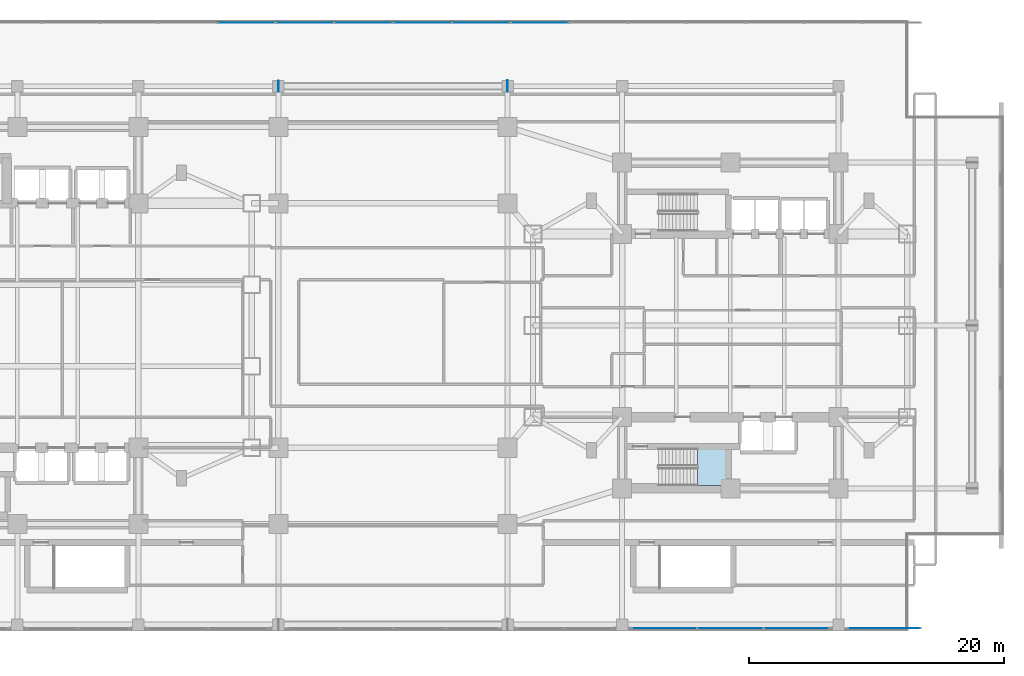
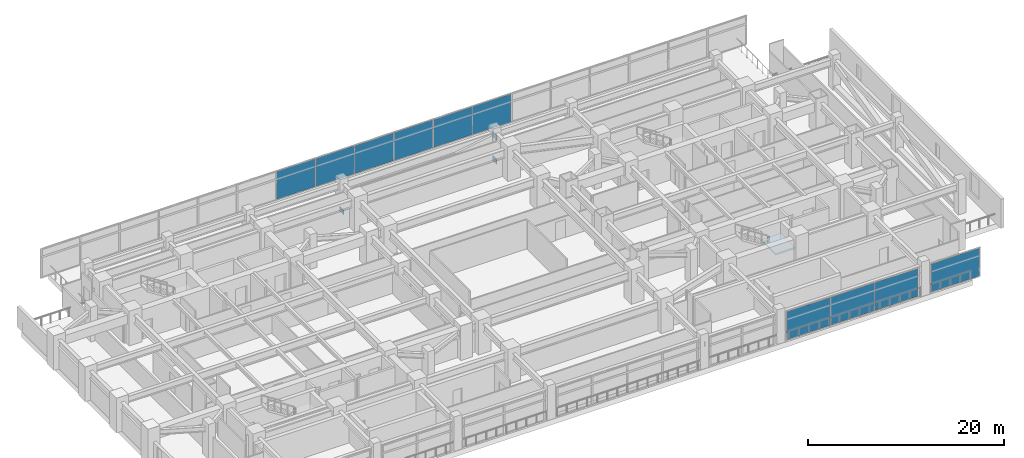
# One storey, part 12 of 27: 13 plates, 1 slab, 4 elements without a shape of their own.
"""IFC4 building model written with IfcOpenShell, lengths in metres."""

from ifc_helpers import new_model, si_unit, direction, frame, origin, origin_2d, place, context, subcontext, project, spatial, polyline, rectangle, outline, extrude, material, layer, layer_set, type_object, element, aggregate, save


model = new_model("IFC4")

# Units and contexts
model_context = context("Model", 3, precision=1e-05, world=origin(), true_north=direction((0.0, 1.0)))
body_context = subcontext(model_context, "Body", "Model", "MODEL_VIEW")
ifc_project = project(units=[si_unit("LENGTHUNIT", "METRE"), si_unit("AREAUNIT", "SQUARE_METRE"), si_unit("VOLUMEUNIT", "CUBIC_METRE"), si_unit("PLANEANGLEUNIT", "RADIAN"), si_unit("MASSUNIT", "GRAM", prefix="KILO")], contexts=[model_context])

# Site, building, storey
site_placement = place(None, origin())
site = spatial("IfcSite", under=ifc_project, at=site_placement, CompositionType="ELEMENT")
building_placement = place(site_placement, origin())
building = spatial("IfcBuilding", under=site, at=building_placement, Name="Mirazonda Arch Towers", CompositionType="ELEMENT")
storey_placement = place(building_placement, frame((0.0, 0.0, 18.10009765625)))
storey = spatial("IfcBuildingStorey", under=building, at=storey_placement, Name="L04", CompositionType="ELEMENT", Elevation=18.10009765625)

# Curtain wall, plate
ifc_material_1 = material(Name="Anodised Aluminium and Low-E Glass", Category="aluminium")
curtain_wall_type = type_object("IfcCurtainWallType", Name="CW-POD-STORE", PredefinedType="NOTDEFINED", material=ifc_material_1)
curtain_wall_1_placement = place(storey_placement, origin())
curtain_wall_1 = element("IfcCurtainWall", 1, at=curtain_wall_1_placement, inside=storey, type_object=curtain_wall_type, Name="L04 Curtain Wall CW-L04-S1-S1", PredefinedType="NOTDEFINED")
ifc_material_2 = material(Name="Insulated Low-E Solar Glass", Category="glass")
ifc_layer_1 = layer(ifc_material_2, 0.028076171875, Name="PAN-CW-POD-STORE")
ifc_layer_set_1 = layer_set([ifc_layer_1], Name="Insulated Low-E Solar Glass")
plate_type_1 = type_object("IfcPlateType", Name="PAN-CW-POD-STORE", PredefinedType="CURTAIN_PANEL", material=ifc_layer_set_1)
plate_1_placement = place(storey_placement, frame((88.594970703125, 4.219970703125, 0.080078125), z_axis=(0.0, 0.0, 1.0), x_axis=(-1.0, 0.0, 0.0)))
plate_1 = element("IfcPlate", 2, at=plate_1_placement, type_object=plate_type_1, Name="CW-102 panel 1.1", PredefinedType="CURTAIN_PANEL", context=body_context, shape_type="SweptSolid", body=[
    extrude(rectangle(XDim=5.64990234375, YDim=0.028076171875, at=origin_2d()), origin(), (0.0, 0.0, 1.0), 3.469970703125),
])
aggregate(curtain_wall_1, [plate_1])

# Curtain wall, plates
curtain_wall_2_placement = place(storey_placement, origin())
curtain_wall_2 = element("IfcCurtainWall", 3, at=curtain_wall_2_placement, inside=storey, type_object=curtain_wall_type, Name="L04 Curtain Wall CW-L04-S1-S2", PredefinedType="NOTDEFINED")
plate_2_placement = place(storey_placement, frame((81.686767578125, 4.219970703125, 0.080078125), z_axis=(0.0, 0.0, 1.0), x_axis=(-1.0, 0.0, 0.0)))
plate_2 = element("IfcPlate", 4, at=plate_2_placement, type_object=plate_type_1, Name="CW-102 panel 1.1", PredefinedType="CURTAIN_PANEL", context=body_context, shape_type="SweptSolid", body=[
    extrude(rectangle(XDim=5.086669921875, YDim=0.028076171875, at=origin_2d()), origin(), (0.0, 0.0, 1.0), 3.469970703125),
])
plate_3_placement = place(storey_placement, frame((76.5, 4.219970703125, 0.080078125), z_axis=(0.0, 0.0, 1.0), x_axis=(-1.0, 0.0, 0.0)))
plate_3 = element("IfcPlate", 5, at=plate_3_placement, type_object=plate_type_1, Name="CW-102 panel 2.1", PredefinedType="CURTAIN_PANEL", context=body_context, shape_type="SweptSolid", body=[
    extrude(rectangle(XDim=5.126708984375, YDim=0.028076171875, at=origin_2d()), origin(), (0.0, 0.0, 1.0), 3.469970703125),
])
plate_4_placement = place(storey_placement, frame((71.313232421875, 4.219970703125, 0.080078125), z_axis=(0.0, 0.0, 1.0), x_axis=(-1.0, 0.0, 0.0)))
plate_4 = element("IfcPlate", 6, at=plate_4_placement, type_object=plate_type_1, Name="CW-102 panel 3.1", PredefinedType="CURTAIN_PANEL", context=body_context, shape_type="SweptSolid", body=[
    extrude(rectangle(XDim=5.086669921875, YDim=0.028076171875, at=origin_2d()), origin(), (0.0, 0.0, 1.0), 3.469970703125),
])
aggregate(curtain_wall_2, [plate_2, plate_3, plate_4])

curtain_wall_3_placement = place(storey_placement, origin())
curtain_wall_3 = element("IfcCurtainWall", 7, at=curtain_wall_3_placement, inside=storey, type_object=curtain_wall_type, Name="L04 Curtain Wall CW-L04-N1", PredefinedType="NOTDEFINED")
plate_5_placement = place(storey_placement, frame((38.47216796875, 51.780029296875, 0.080078125), z_axis=(0.0, 0.0, 1.0), x_axis=(1.0, 0.0, 0.0)))
plate_5 = element("IfcPlate", 8, at=plate_5_placement, type_object=plate_type_1, Name="CW-102 panel 7.1", PredefinedType="CURTAIN_PANEL", context=body_context, shape_type="SweptSolid", body=[
    extrude(rectangle(XDim=4.531005859375, YDim=0.028076171875, at=origin_2d()), origin(), (0.0, 0.0, 1.0), 3.469970703125),
])
plate_6_placement = place(storey_placement, frame((43.083251953125, 51.780029296875, 0.080078125), z_axis=(0.0, 0.0, 1.0), x_axis=(1.0, 0.0, 0.0)))
plate_6 = element("IfcPlate", 9, at=plate_6_placement, type_object=plate_type_1, Name="CW-102 panel 8.1", PredefinedType="CURTAIN_PANEL", context=body_context, shape_type="SweptSolid", body=[
    extrude(rectangle(XDim=4.531005859375, YDim=0.028076171875, at=origin_2d()), origin(), (0.0, 0.0, 1.0), 3.469970703125),
])
plate_7_placement = place(storey_placement, frame((47.6943359375, 51.780029296875, 0.080078125), z_axis=(0.0, 0.0, 1.0), x_axis=(1.0, 0.0, 0.0)))
plate_7 = element("IfcPlate", 10, at=plate_7_placement, type_object=plate_type_1, Name="CW-102 panel 9.1", PredefinedType="CURTAIN_PANEL", context=body_context, shape_type="SweptSolid", body=[
    extrude(rectangle(XDim=4.531005859375, YDim=0.028076171875, at=origin_2d()), origin(), (0.0, 0.0, 1.0), 3.469970703125),
])
plate_8_placement = place(storey_placement, frame((52.3056640625, 51.780029296875, 0.080078125), z_axis=(0.0, 0.0, 1.0), x_axis=(1.0, 0.0, 0.0)))
plate_8 = element("IfcPlate", 11, at=plate_8_placement, type_object=plate_type_1, Name="CW-102 panel 10.1", PredefinedType="CURTAIN_PANEL", context=body_context, shape_type="SweptSolid", body=[
    extrude(rectangle(XDim=4.531005859375, YDim=0.028076171875, at=origin_2d()), origin(), (0.0, 0.0, 1.0), 3.469970703125),
])
plate_9_placement = place(storey_placement, frame((56.916748046875, 51.780029296875, 0.080078125), z_axis=(0.0, 0.0, 1.0), x_axis=(1.0, 0.0, 0.0)))
plate_9 = element("IfcPlate", 12, at=plate_9_placement, type_object=plate_type_1, Name="CW-102 panel 11.1", PredefinedType="CURTAIN_PANEL", context=body_context, shape_type="SweptSolid", body=[
    extrude(rectangle(XDim=4.531005859375, YDim=0.028076171875, at=origin_2d()), origin(), (0.0, 0.0, 1.0), 3.469970703125),
])
plate_10_placement = place(storey_placement, frame((61.52783203125, 51.780029296875, 0.080078125), z_axis=(0.0, 0.0, 1.0), x_axis=(1.0, 0.0, 0.0)))
plate_10 = element("IfcPlate", 13, at=plate_10_placement, type_object=plate_type_1, Name="CW-102 panel 12.1", PredefinedType="CURTAIN_PANEL", context=body_context, shape_type="SweptSolid", body=[
    extrude(rectangle(XDim=4.531005859375, YDim=0.028076171875, at=origin_2d()), origin(), (0.0, 0.0, 1.0), 3.469970703125),
])
aggregate(curtain_wall_3, [plate_5, plate_6, plate_7, plate_8, plate_9, plate_10])

# Plates
ifc_material_3 = material(Name="Steel ASTM A572 Grade 50", Category="steel")
ifc_layer_2 = layer(ifc_material_3, 0.035888671875, Name="PLATE-CAP-850x600x36")
ifc_layer_set_2 = layer_set([ifc_layer_2], Name="Steel ASTM A572 Grade 50")
plate_type_2 = type_object("IfcPlateType", Name="PLATE-CAP-850x600x36", PredefinedType="USERDEFINED", material=ifc_layer_set_2)
for number, where, z_axis, x_axis, name in (
    (14, (40.991943359375, 46.800048828125, -0.250244140625), (0.0, 0.0, 1.0), (-1.0, 0.0, 0.0), "Steel end closure plate NP-L04-BC-02A"),
    (15, (59.008056640625, 46.800048828125, -0.250244140625), (0.0, 0.0, 1.0), (1.0, 0.0, 0.0), "Steel end closure plate NP-L04-BC-02B"),
):
    element("IfcPlate", number, at=place(storey_placement, frame(where, z_axis=z_axis, x_axis=x_axis)), inside=storey, type_object=plate_type_2, Name=name, ObjectType="CAP PLATE", PredefinedType="USERDEFINED", context=body_context, shape_type="SweptSolid", body=[
        extrude(rectangle(XDim=0.0400390625, YDim=0.85009765625, at=origin_2d()), origin(), (0.0, 0.0, 1.0), 0.60009765625),
    ])
ifc_layer_3 = layer(ifc_material_3, 0.031982421875, Name="PLATE-GUSSET-900x650x32")
ifc_layer_set_3 = layer_set([ifc_layer_3], Name="Steel ASTM A572 Grade 50")
plate_type_3 = type_object("IfcPlateType", Name="PLATE-GUSSET-900x650x32", PredefinedType="USERDEFINED", material=ifc_layer_set_3)
plate_11_placement = place(storey_placement, frame((59.0078125, 46.800048828125, 2.726318359375), z_axis=(0.0, 0.0, 1.0), x_axis=(1.0, 0.0, 0.0)))
element("IfcPlate", 16, at=plate_11_placement, inside=storey, type_object=plate_type_3, Name="Steel end closure plate NP-L04-DG-02A1", ObjectType="GUSSET_PLATE", PredefinedType="USERDEFINED", context=body_context, shape_type="SweptSolid", body=[
    extrude(rectangle(XDim=0.0400390625, YDim=0.89990234375, at=origin_2d()), origin(), (0.0, 0.0, 1.0), 0.64990234375),
])

# Stair, slab
ifc_material_4 = material(Name="Concrete C40/50", Category="concrete")
stair_type = type_object("IfcStairType", Name="STAIR-CORE-1400", PredefinedType="HALF_TURN_STAIR", material=ifc_material_4)
stair_placement = place(storey_placement, origin())
stair = element("IfcStair", 17, at=stair_placement, inside=storey, type_object=stair_type, Name="L04 Protected Exit Stair ST-T2S", PredefinedType="HALF_TURN_STAIR")
ifc_layer_4 = layer(ifc_material_4, 0.18994140625, Name="SLAB-LANDING-190")
ifc_layer_set_4 = layer_set([ifc_layer_4], Name="Concrete C40/50")
slab_type = type_object("IfcSlabType", Name="SLAB-LANDING-190", PredefinedType="LANDING", material=ifc_layer_set_4)
slab_placement = place(storey_placement, frame((0.0, 0.0, 1.949951171875)))
slab = element("IfcSlab", 18, at=slab_placement, type_object=slab_type, Name="ST-T2S landing 1", PredefinedType="LANDING", context=body_context, shape_type="SweptSolid", body=[
    extrude(outline(polyline([(73.929931640625, 15.419921875), (76.22998046875, 15.419921875), (76.22998046875, 18.360107421875), (73.929931640625, 18.360107421875), (73.929931640625, 15.419921875)])), origin(), (0.0, 0.0, 1.0), 0.199951171875),
])
aggregate(stair, [slab])

save(model, "model.ifc")
